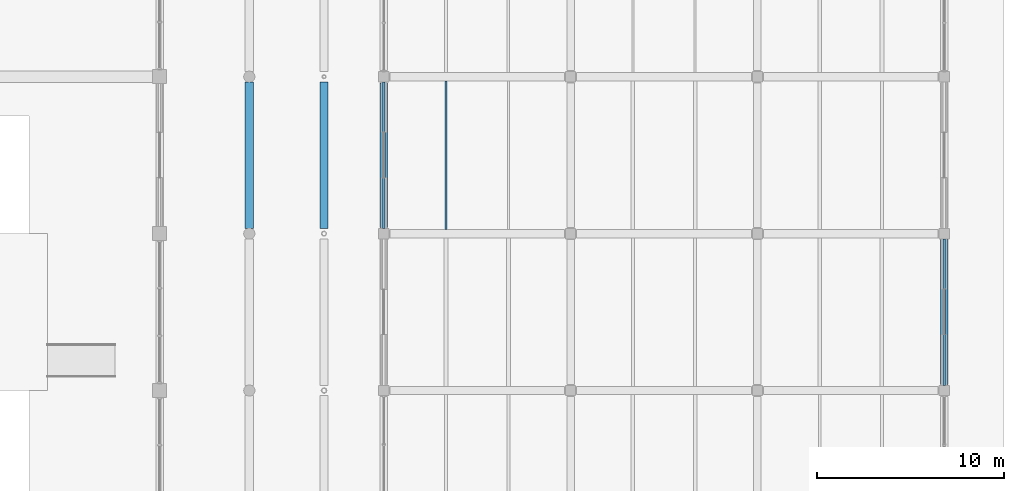
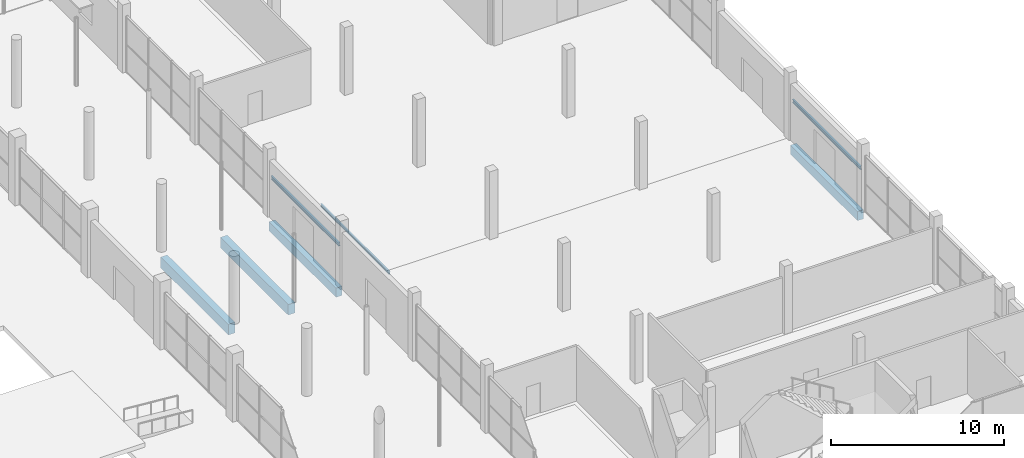
# One storey, part 72 of 130: 7 beams.
"""IFC4 building model written with IfcOpenShell, lengths in metres."""

from ifc_helpers import new_model, si_unit, direction, frame, origin, origin_2d, place, context, subcontext, project, spatial, rectangle, i_section, extrude, material, material_profile, profile_set, type_object, element, save


model = new_model("IFC4")

# Units and contexts
model_context = context("Model", 3, precision=1e-05, world=origin(), true_north=direction((0.0, 1.0)))
body_context = subcontext(model_context, "Body", "Model", "MODEL_VIEW")
ifc_project = project(units=[si_unit("LENGTHUNIT", "METRE"), si_unit("AREAUNIT", "SQUARE_METRE"), si_unit("VOLUMEUNIT", "CUBIC_METRE"), si_unit("PLANEANGLEUNIT", "RADIAN"), si_unit("MASSUNIT", "GRAM", prefix="KILO"), si_unit("THERMODYNAMICTEMPERATUREUNIT", "KELVIN")], contexts=[model_context])

# Site, building, storey
site_placement = place(None, origin())
site = spatial("IfcSite", under=ifc_project, at=site_placement, CompositionType="ELEMENT")
building_placement = place(site_placement, origin())
building = spatial("IfcBuilding", under=site, at=building_placement, Name="Nduvali Passage Aquatics Centre", CompositionType="ELEMENT")
storey_placement = place(building_placement, origin())
storey = spatial("IfcBuildingStorey", under=building, at=storey_placement, Name="L00", CompositionType="ELEMENT", Elevation=0.0)

# Beams
ifc_material_1 = material(Name="Concrete C40/50", Category="concrete")
ifc_material_profile_1 = material_profile(ifc_material_1, rectangle(XDim=0.449951171875, YDim=0.75, at=origin_2d()), Name="RC 450x750")
ifc_profile_set_1 = profile_set([ifc_material_profile_1], Name="Concrete C40/50")
beam_type_1 = type_object("IfcBeamType", Name="STR-BM-RC4575", PredefinedType="BEAM", material=ifc_profile_set_1)
for number, where, z_axis, x_axis, name in (
    (1, (130.800048828125, 59.074951171875, -0.675048828125), (0.0, 1.0, 0.0), (-1.0, 0.0, 0.0), "L00 Primary Y-Girder B3-0208"),
    (2, (134.800048828125, 59.074951171875, -0.675048828125), (0.0, 1.0, 0.0), (-1.0, 0.0, 0.0), "L00 Primary Y-Girder B3-0219"),
):
    element("IfcBeam", number, at=place(storey_placement, frame(where, z_axis=z_axis, x_axis=x_axis)), inside=storey, type_object=beam_type_1, Name=name, PredefinedType="BEAM", context=body_context, shape_type="SweptSolid", body=[
        extrude(rectangle(XDim=0.449951171875, YDim=0.75, at=origin_2d()), origin(), (0.0, 0.0, 1.0), 7.85009765625),
    ])
ifc_material_2 = material(Name="Steel S355", Category="steel")
ifc_material_profile_2 = material_profile(ifc_material_2, i_section(OverallWidth=0.10009765625, OverallDepth=0.199951171875, WebThickness=0.005615234375, FlangeThickness=0.008544921875, FilletRadius=0.011962890625, at=origin_2d()), Name="IPE 200")
ifc_profile_set_2 = profile_set([ifc_material_profile_2], Name="Steel S355")
beam_type_2 = type_object("IfcBeamType", Name="STR-JST-IPE200", PredefinedType="JOIST", material=ifc_profile_set_2)
beam_1_placement = place(storey_placement, frame((141.333251953125, 59.02490234375, -0.404052734375), z_axis=(0.0, 1.0, 0.0), x_axis=(-1.0, 0.0, 0.0)))
element("IfcBeam", 3, at=beam_1_placement, inside=storey, type_object=beam_type_2, Name="L00 Secondary Joist J9A-0347", PredefinedType="JOIST", context=body_context, shape_type="SweptSolid", body=[
    extrude(i_section(OverallWidth=0.10009765625, OverallDepth=0.199951171875, WebThickness=0.005615234375, FlangeThickness=0.008544921875, FilletRadius=0.011962890625, at=origin_2d()), origin(), (0.0, 0.0, 1.0), 7.9501953125),
])
ifc_material_profile_3 = material_profile(ifc_material_2, i_section(OverallWidth=0.1201171875, OverallDepth=0.239990234375, WebThickness=0.006103515625, FlangeThickness=0.009765625, FilletRadius=0.014892578125, at=origin_2d()), Name="IPE 240")
ifc_profile_set_3 = profile_set([ifc_material_profile_3], Name="Steel S355")
beam_type_3 = type_object("IfcBeamType", Name="STR-LNT-IPE240-EXT", PredefinedType="LINTEL", material=ifc_profile_set_3)
beam_2_placement = place(storey_placement, frame((168.0, 50.675048828125, 2.75), z_axis=(0.0, 1.0, 0.0), x_axis=(-1.0, 0.0, 0.0)))
element("IfcBeam", 4, at=beam_2_placement, inside=storey, type_object=beam_type_3, Name="East Avenue Main Entrance Portal Lintel 1", PredefinedType="LINTEL", context=body_context, shape_type="SweptSolid", body=[
    extrude(i_section(OverallWidth=0.1201171875, OverallDepth=0.239990234375, WebThickness=0.006103515625, FlangeThickness=0.009765625, FilletRadius=0.014892578125, at=origin_2d()), origin(), (0.0, 0.0, 1.0), 7.849853515625),
])
beam_3_placement = place(storey_placement, frame((138.0, 59.074951171875, 2.75), z_axis=(0.0, 1.0, 0.0), x_axis=(-1.0, 0.0, 0.0)))
element("IfcBeam", 5, at=beam_3_placement, inside=storey, type_object=beam_type_3, Name="Monsoon Passage Foyer Portal Lintel 2", PredefinedType="LINTEL", context=body_context, shape_type="SweptSolid", body=[
    extrude(i_section(OverallWidth=0.1201171875, OverallDepth=0.239990234375, WebThickness=0.006103515625, FlangeThickness=0.009765625, FilletRadius=0.014892578125, at=origin_2d()), origin(), (0.0, 0.0, 1.0), 7.85009765625),
])
ifc_material_profile_4 = material_profile(ifc_material_1, rectangle(XDim=0.39990234375, YDim=0.64990234375, at=origin_2d()), Name="RC 400x650")
ifc_profile_set_4 = profile_set([ifc_material_profile_4], Name="Concrete C40/50")
beam_type_4 = type_object("IfcBeamType", Name="STR-SPN-RC4065-EXT", PredefinedType="SPANDREL", material=ifc_profile_set_4)
for number, where, z_axis, x_axis, name in (
    (6, (138.0, 59.125, -0.625), (0.0, 1.0, 0.0), (-1.0, 0.0, 0.0), "L00 Primary Y-Girder SP1E-0227"),
    (7, (168.0, 50.72509765625, -0.625), (0.0, 1.0, 0.0), (-1.0, 0.0, 0.0), "L00 Primary Y-Girder SP1E-0250"),
):
    element("IfcBeam", number, at=place(storey_placement, frame(where, z_axis=z_axis, x_axis=x_axis)), inside=storey, type_object=beam_type_4, Name=name, PredefinedType="SPANDREL", context=body_context, shape_type="SweptSolid", body=[
        extrude(rectangle(XDim=0.39990234375, YDim=0.64990234375, at=origin_2d()), origin(), (0.0, 0.0, 1.0), 7.75),
    ])

save(model, "model.ifc")
